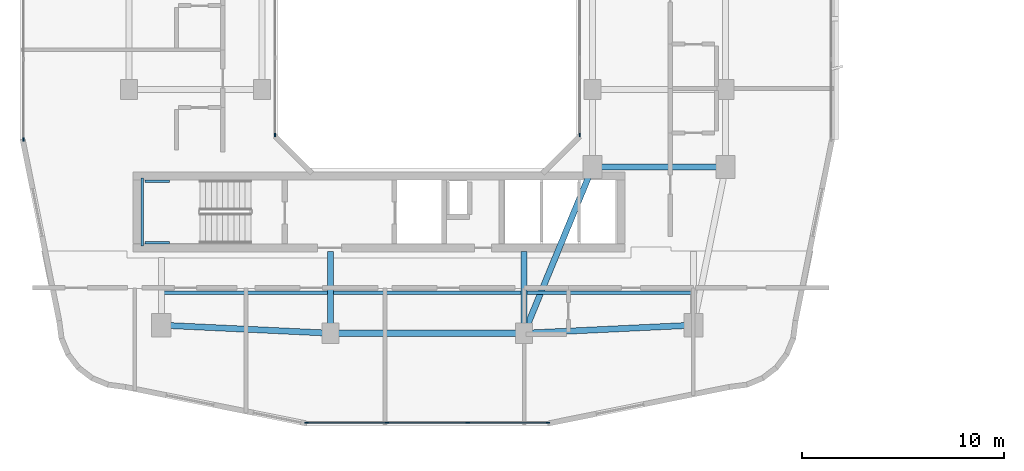
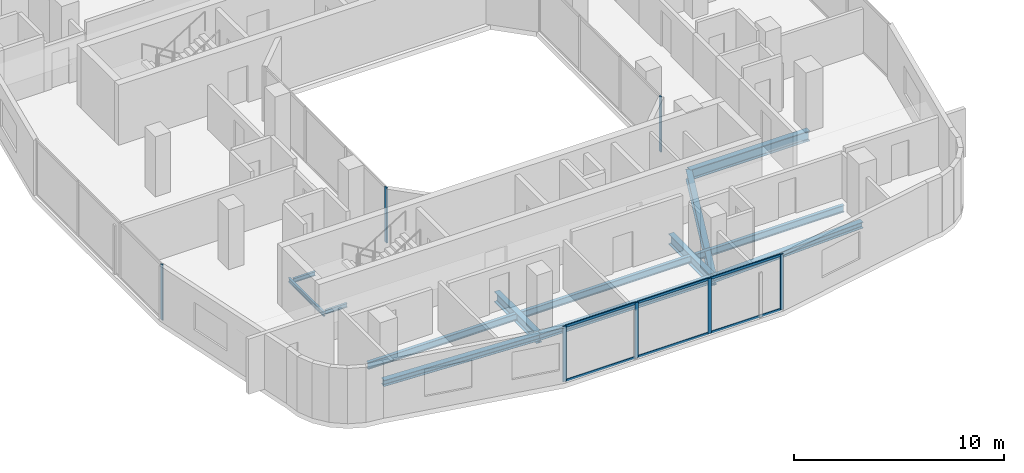
# One storey, part 2 of 26: 13 beams, 13 members, 4 elements without a shape of their own.
"""IFC4 building model written with IfcOpenShell, lengths in metres."""

from ifc_helpers import new_model, si_unit, derived_unit, direction, frame, origin, origin_2d, place, context, subcontext, project, spatial, rectangle, i_section, extrude, material, layer, layer_set, material_profile, profile_set, type_object, element, aggregate, save


model = new_model("IFC4")

# Units and contexts
model_context = context("Model", 3, precision=1e-05, world=origin(), true_north=direction((0.0, 1.0)))
body_context = subcontext(model_context, "Body", "Model", "MODEL_VIEW")
ifc_project = project(units=[si_unit("LENGTHUNIT", "METRE"), si_unit("AREAUNIT", "SQUARE_METRE"), si_unit("VOLUMEUNIT", "CUBIC_METRE"), si_unit("PLANEANGLEUNIT", "RADIAN"), si_unit("MASSUNIT", "GRAM", prefix="KILO"), derived_unit("THERMALTRANSMITTANCEUNIT", [(si_unit("POWERUNIT", "WATT"), 1), (si_unit("LENGTHUNIT", "METRE"), -2), (si_unit("THERMODYNAMICTEMPERATUREUNIT", "KELVIN"), -1)])], contexts=[model_context])

# Site, building, storey
site_placement = place(None, origin())
site = spatial("IfcSite", under=ifc_project, at=site_placement, CompositionType="ELEMENT")
building_placement = place(site_placement, origin())
building = spatial("IfcBuilding", under=site, at=building_placement, Name="Kivonza Crest Hotel", CompositionType="ELEMENT")
storey_placement = place(building_placement, frame((0.0, 0.0, 109.0)))
storey = spatial("IfcBuildingStorey", under=building, at=storey_placement, Name="L29", CompositionType="ELEMENT", Elevation=109.0)

# Beams
ifc_material_1 = material(Name="Steel S355", Category="steel")
ifc_material_profile_1 = material_profile(ifc_material_1, i_section(OverallWidth=0.300048828125, OverallDepth=0.360107421875, WebThickness=0.012451171875, FlangeThickness=0.0224609375, FilletRadius=0.027099609375, at=origin_2d()), Name="HEB 360")
ifc_profile_set_1 = profile_set([ifc_material_profile_1], Name="Steel S355")
beam_type_1 = type_object("IfcBeamType", Name="BM-HEB360", PredefinedType="SPANDREL", material=ifc_profile_set_1)
beam_1_placement = place(storey_placement, frame((16.199951171875, 9.39990234375, -0.4599609375), z_axis=(1.0, 0.0, 0.0), x_axis=(0.0, 1.0, 0.0)))
element("IfcBeam", 1, at=beam_1_placement, inside=storey, type_object=beam_type_1, Name="Tower T1 L29 perimeter spandrel S1-S2", PredefinedType="SPANDREL", context=body_context, shape_type="SweptSolid", body=[
    extrude(i_section(OverallWidth=0.300048828125, OverallDepth=0.360107421875, WebThickness=0.012451171875, FlangeThickness=0.0224609375, FilletRadius=0.027099609375, at=origin_2d()), origin(), (0.0, 0.0, 1.0), 9.60009765625),
])
for number, where, z_axis, x_axis, name in (
    (2, (25.800048828125, 9.39990234375, -0.4599609375), (0.998867283688, 0.047583080799, 0.0), (-0.047583080799, 0.998867283688, 0.0), "Tower T1 L29 perimeter spandrel S2-SE"),
    (3, (7.800048828125, 9.800048828125, -0.4599609375), (0.998867283688, -0.047583080799, 0.0), (0.047583080799, 0.998867283688, 0.0), "Tower T1 L29 perimeter spandrel SW-S1"),
):
    element("IfcBeam", number, at=place(storey_placement, frame(where, z_axis=z_axis, x_axis=x_axis)), inside=storey, type_object=beam_type_1, Name=name, PredefinedType="SPANDREL", context=body_context, shape_type="SweptSolid", body=[
        extrude(i_section(OverallWidth=0.300048828125, OverallDepth=0.360107421875, WebThickness=0.012451171875, FlangeThickness=0.0224609375, FilletRadius=0.027099609375, at=origin_2d()), origin(), (0.0, 0.0, 1.0), 8.409423828125),
    ])
ifc_material_profile_2 = material_profile(ifc_material_1, i_section(OverallWidth=0.300048828125, OverallDepth=0.60009765625, WebThickness=0.015380859375, FlangeThickness=0.030029296875, FilletRadius=0.027099609375, at=origin_2d()), Name="HEB 600")
ifc_profile_set_2 = profile_set([ifc_material_profile_2], Name="Steel S355")
beam_type_2 = type_object("IfcBeamType", Name="BM-HEB600", PredefinedType="BEAM", material=ifc_profile_set_2)
beam_2_placement = place(storey_placement, frame((25.800048828125, 9.39990234375, -0.580078125), z_axis=(0.381022260404, 0.924565864109, 0.0), x_axis=(-0.924565864109, 0.381022260404, 0.0)))
element("IfcBeam", 4, at=beam_2_placement, inside=storey, type_object=beam_type_2, Name="Tower T1 L29 primary girder S1-TSE", PredefinedType="BEAM", context=body_context, shape_type="SweptSolid", body=[
    extrude(i_section(OverallWidth=0.300048828125, OverallDepth=0.60009765625, WebThickness=0.015380859375, FlangeThickness=0.030029296875, FilletRadius=0.027099609375, at=origin_2d()), origin(), (0.0, 0.0, 1.0), 8.923095703125),
])
beam_3_placement = place(storey_placement, frame((29.199951171875, 17.64990234375, -0.580078125), z_axis=(1.0, 0.0, 0.0), x_axis=(0.0, 1.0, 0.0)))
element("IfcBeam", 5, at=beam_3_placement, inside=storey, type_object=beam_type_2, Name="Tower T1 L29 primary girder TSE-PSE", PredefinedType="BEAM", context=body_context, shape_type="SweptSolid", body=[
    extrude(i_section(OverallWidth=0.300048828125, OverallDepth=0.60009765625, WebThickness=0.015380859375, FlangeThickness=0.030029296875, FilletRadius=0.027099609375, at=origin_2d()), origin(), (0.0, 0.0, 1.0), 6.60009765625),
])
for number, where, z_axis, x_axis, name in (
    (6, (16.199951171875, 9.39990234375, -0.580078125), (0.0, 1.0, 0.0), (-1.0, 0.0, 0.0), "Tower T1 L29 radial core girder RS1"),
    (7, (25.800048828125, 9.39990234375, -0.580078125), (0.0, 1.0, 0.0), (-1.0, 0.0, 0.0), "Tower T1 L29 radial core girder RS2"),
):
    element("IfcBeam", number, at=place(storey_placement, frame(where, z_axis=z_axis, x_axis=x_axis)), inside=storey, type_object=beam_type_2, Name=name, PredefinedType="BEAM", context=body_context, shape_type="SweptSolid", body=[
        extrude(i_section(OverallWidth=0.300048828125, OverallDepth=0.60009765625, WebThickness=0.015380859375, FlangeThickness=0.030029296875, FilletRadius=0.027099609375, at=origin_2d()), origin(), (0.0, 0.0, 1.0), 4.050048828125),
    ])
ifc_material_profile_3 = material_profile(ifc_material_1, i_section(OverallWidth=0.179931640625, OverallDepth=0.39990234375, WebThickness=0.008544921875, FlangeThickness=0.013427734375, FilletRadius=0.02099609375, at=origin_2d()), Name="IPE 400")
ifc_profile_set_3 = profile_set([ifc_material_profile_3], Name="Steel S355")
beam_type_3 = type_object("IfcBeamType", Name="BM-IPE400", PredefinedType="JOIST", material=ifc_profile_set_3)
beam_4_placement = place(storey_placement, frame((7.8798828125, 11.39990234375, -0.47998046875), z_axis=(1.0, 0.0, 0.0), x_axis=(0.0, 1.0, 0.0)))
element("IfcBeam", 8, at=beam_4_placement, inside=storey, type_object=beam_type_3, Name="Tower T1 L29 South-West floor joist", PredefinedType="JOIST", context=body_context, shape_type="SweptSolid", body=[
    extrude(i_section(OverallWidth=0.179931640625, OverallDepth=0.39990234375, WebThickness=0.008544921875, FlangeThickness=0.013427734375, FilletRadius=0.02099609375, at=origin_2d()), origin(), (0.0, 0.0, 1.0), 8.240234375),
])
beam_5_placement = place(storey_placement, frame((16.280029296875, 11.39990234375, -0.47998046875), z_axis=(1.0, 0.0, 0.0), x_axis=(0.0, 1.0, 0.0)))
element("IfcBeam", 9, at=beam_5_placement, inside=storey, type_object=beam_type_3, Name="Tower T1 L29 South-Mid floor joist", PredefinedType="JOIST", context=body_context, shape_type="SweptSolid", body=[
    extrude(i_section(OverallWidth=0.179931640625, OverallDepth=0.39990234375, WebThickness=0.008544921875, FlangeThickness=0.013427734375, FilletRadius=0.02099609375, at=origin_2d()), origin(), (0.0, 0.0, 1.0), 9.43994140625),
])
beam_6_placement = place(storey_placement, frame((25.8798828125, 11.39990234375, -0.47998046875), z_axis=(1.0, 0.0, 0.0), x_axis=(0.0, 1.0, 0.0)))
element("IfcBeam", 10, at=beam_6_placement, inside=storey, type_object=beam_type_3, Name="Tower T1 L29 South-East floor joist", PredefinedType="JOIST", context=body_context, shape_type="SweptSolid", body=[
    extrude(i_section(OverallWidth=0.179931640625, OverallDepth=0.39990234375, WebThickness=0.008544921875, FlangeThickness=0.013427734375, FilletRadius=0.02099609375, at=origin_2d()), origin(), (0.0, 0.0, 1.0), 8.240234375),
])
ifc_material_profile_4 = material_profile(ifc_material_1, i_section(OverallWidth=0.1201171875, OverallDepth=0.239990234375, WebThickness=0.006103515625, FlangeThickness=0.009765625, FilletRadius=0.014892578125, at=origin_2d()), Name="IPE 240")
ifc_profile_set_4 = profile_set([ifc_material_profile_4], Name="Steel S355")
beam_type_4 = type_object("IfcBeamType", Name="BM-LLDG-240", PredefinedType="BEAM", material=ifc_profile_set_4)
beam_7_placement = place(storey_placement, frame((6.860107421875, 13.739990234375, 1.429931640625), z_axis=(0.0, 1.0, 0.0), x_axis=(-1.0, 0.0, 0.0)))
element("IfcBeam", 11, at=beam_7_placement, inside=storey, type_object=beam_type_4, Name="Stair ST-T1-S L29 West landing corbel", PredefinedType="BEAM", context=body_context, shape_type="SweptSolid", body=[
    extrude(i_section(OverallWidth=0.1201171875, OverallDepth=0.239990234375, WebThickness=0.006103515625, FlangeThickness=0.009765625, FilletRadius=0.014892578125, at=origin_2d()), origin(), (0.0, 0.0, 1.0), 3.360107421875),
])
for number, where, z_axis, x_axis, name in (
    (12, (6.989990234375, 13.89990234375, 1.429931640625), (1.0, 0.0, 0.0), (0.0, 1.0, 0.0), "Stair ST-T1-S L29 South landing corbel"),
    (13, (6.989990234375, 16.93994140625, 1.429931640625), (1.0, 0.0, 0.0), (0.0, 1.0, 0.0), "Stair ST-T1-S L29 North landing corbel"),
):
    element("IfcBeam", number, at=place(storey_placement, frame(where, z_axis=z_axis, x_axis=x_axis)), inside=storey, type_object=beam_type_4, Name=name, PredefinedType="BEAM", context=body_context, shape_type="SweptSolid", body=[
        extrude(i_section(OverallWidth=0.1201171875, OverallDepth=0.239990234375, WebThickness=0.006103515625, FlangeThickness=0.009765625, FilletRadius=0.014892578125, at=origin_2d()), origin(), (0.0, 0.0, 1.0), 1.2099609375),
    ])

# Curtain wall, members
ifc_material_2 = material(Name="Anodised bronze aluminium and low-E double glazing", Category="aluminium")
ifc_layer_1 = layer(ifc_material_2, 0.179931640625)
ifc_layer_set_1 = layer_set([ifc_layer_1], Name="Anodised bronze aluminium and low-E double glazing")
curtain_wall_type_1 = type_object("IfcCurtainWallType", Name="CW-SYS-2", PredefinedType="NOTDEFINED", material=ifc_layer_set_1)
curtain_wall_1_placement = place(storey_placement, origin())
curtain_wall_1 = element("IfcCurtainWall", 14, at=curtain_wall_1_placement, inside=storey, type_object=curtain_wall_type_1, Name="L29 unitised curtain wall CW-T1-L29-08", PredefinedType="NOTDEFINED")
ifc_material_3 = material(Name="Anodised bronze aluminium", Category="aluminium")
ifc_material_profile_5 = material_profile(ifc_material_3, rectangle(XDim=0.06494140625, YDim=0.179931640625, at=origin_2d()), Name="CW-M 65x180")
ifc_profile_set_5 = profile_set([ifc_material_profile_5], Name="Anodised bronze aluminium")
member_type_1 = type_object("IfcMemberType", Name="CW-MUL-65x180", PredefinedType="MULLION", material=ifc_profile_set_5)
member_1_placement = place(storey_placement, frame((15.012451171875, 4.9599609375, 0.0), z_axis=(0.0, 0.0, 1.0), x_axis=(0.0, 1.0, 0.0)))
member_1 = element("IfcMember", 15, at=member_1_placement, type_object=member_type_1, Name="CW-2 mullion 1", PredefinedType="MULLION", context=body_context, shape_type="SweptSolid", body=[
    extrude(rectangle(XDim=0.06494140625, YDim=0.179931640625, at=origin_2d()), origin(), (0.0, 0.0, 1.0), 3.219970703125),
])
member_2_placement = place(storey_placement, frame((18.993408203125, 4.9599609375, 0.0), z_axis=(0.0, 0.0, 1.0), x_axis=(0.0, 1.0, 0.0)))
member_2 = element("IfcMember", 16, at=member_2_placement, type_object=member_type_1, Name="CW-2 mullion 2", PredefinedType="MULLION", context=body_context, shape_type="SweptSolid", body=[
    extrude(rectangle(XDim=0.06494140625, YDim=0.179931640625, at=origin_2d()), origin(), (0.0, 0.0, 1.0), 3.219970703125),
])
member_3_placement = place(storey_placement, frame((23.006591796875, 4.9599609375, 0.0), z_axis=(0.0, 0.0, 1.0), x_axis=(0.0, 1.0, 0.0)))
member_3 = element("IfcMember", 17, at=member_3_placement, type_object=member_type_1, Name="CW-2 mullion 3", PredefinedType="MULLION", context=body_context, shape_type="SweptSolid", body=[
    extrude(rectangle(XDim=0.06494140625, YDim=0.179931640625, at=origin_2d()), origin(), (0.0, 0.0, 1.0), 3.219970703125),
])
member_4_placement = place(storey_placement, frame((26.987548828125, 4.9599609375, 0.0), z_axis=(0.0, 0.0, 1.0), x_axis=(0.0, 1.0, 0.0)))
member_4 = element("IfcMember", 18, at=member_4_placement, type_object=member_type_1, Name="CW-2 mullion 4", PredefinedType="MULLION", context=body_context, shape_type="SweptSolid", body=[
    extrude(rectangle(XDim=0.06494140625, YDim=0.179931640625, at=origin_2d()), origin(), (0.0, 0.0, 1.0), 3.219970703125),
])

# Curtain wall, member
curtain_wall_2_placement = place(storey_placement, origin())
curtain_wall_2 = element("IfcCurtainWall", 19, at=curtain_wall_2_placement, inside=storey, type_object=curtain_wall_type_1, Name="L29 unitised curtain wall CW-T1-L29-35", PredefinedType="NOTDEFINED")
member_5_placement = place(storey_placement, frame((0.9599609375, 19.012451171875, 0.0), z_axis=(0.0, 0.0, 1.0), x_axis=(1.0, 0.0, 0.0)))
member_5 = element("IfcMember", 20, at=member_5_placement, type_object=member_type_1, Name="CW-2 mullion 4", PredefinedType="MULLION", context=body_context, shape_type="SweptSolid", body=[
    extrude(rectangle(XDim=0.06494140625, YDim=0.179931640625, at=origin_2d()), origin(), (0.0, 0.0, 1.0), 3.219970703125),
])
aggregate(curtain_wall_2, [member_5])

ifc_layer_2 = layer(ifc_material_2, 0.159912109375)
ifc_layer_set_2 = layer_set([ifc_layer_2], Name="Anodised bronze aluminium and low-E double glazing")
curtain_wall_type_2 = type_object("IfcCurtainWallType", Name="CW-SYS-5", PredefinedType="NOTDEFINED", material=ifc_layer_set_2)
curtain_wall_3_placement = place(storey_placement, origin())
curtain_wall_3 = element("IfcCurtainWall", 21, at=curtain_wall_3_placement, inside=storey, type_object=curtain_wall_type_2, Name="L29 unitised curtain wall CW-WELL-T1-L29-3", PredefinedType="NOTDEFINED")
member_6_placement = place(storey_placement, frame((28.56005859375, 19.232421875, 0.0), z_axis=(0.0, 0.0, 1.0), x_axis=(-1.0, 0.0, 0.0)))
member_6 = element("IfcMember", 22, at=member_6_placement, type_object=member_type_1, Name="CW-5 mullion 1", PredefinedType="MULLION", context=body_context, shape_type="SweptSolid", body=[
    extrude(rectangle(XDim=0.06494140625, YDim=0.179931640625, at=origin_2d()), origin(), (0.0, 0.0, 1.0), 3.219970703125),
])
aggregate(curtain_wall_3, [member_6])

curtain_wall_4_placement = place(storey_placement, origin())
curtain_wall_4 = element("IfcCurtainWall", 23, at=curtain_wall_4_placement, inside=storey, type_object=curtain_wall_type_2, Name="L29 unitised curtain wall CW-WELL-T1-L29-7", PredefinedType="NOTDEFINED")
member_7_placement = place(storey_placement, frame((13.43994140625, 19.232421875, 0.0), z_axis=(0.0, 0.0, 1.0), x_axis=(1.0, 0.0, 0.0)))
member_7 = element("IfcMember", 24, at=member_7_placement, type_object=member_type_1, Name="CW-5 mullion 4", PredefinedType="MULLION", context=body_context, shape_type="SweptSolid", body=[
    extrude(rectangle(XDim=0.06494140625, YDim=0.179931640625, at=origin_2d()), origin(), (0.0, 0.0, 1.0), 3.219970703125),
])
aggregate(curtain_wall_4, [member_7])

# Member
ifc_material_profile_6 = material_profile(ifc_material_3, rectangle(XDim=0.06494140625, YDim=0.139892578125, at=origin_2d()), Name="CW-T 65x140")
ifc_profile_set_6 = profile_set([ifc_material_profile_6], Name="Anodised bronze aluminium")
member_type_2 = type_object("IfcMemberType", Name="CW-TRN-65x140", PredefinedType="USERDEFINED", material=ifc_profile_set_6)
member_8_placement = place(storey_placement, frame((15.044921875, 4.9599609375, 0.032470703125), z_axis=(1.0, 0.0, 0.0), x_axis=(0.0, 1.0, 0.0)))
member_8 = element("IfcMember", 25, at=member_8_placement, type_object=member_type_2, Name="CW-2 transom 1.1", ObjectType="TRANSOM", PredefinedType="USERDEFINED", context=body_context, shape_type="SweptSolid", body=[
    extrude(rectangle(XDim=0.06494140625, YDim=0.139892578125, at=origin_2d()), origin(), (0.0, 0.0, 1.0), 3.916015625),
])

member_9_placement = place(storey_placement, frame((15.044921875, 4.9599609375, 3.1875), z_axis=(1.0, 0.0, 0.0), x_axis=(0.0, 1.0, 0.0)))
member_9 = element("IfcMember", 26, at=member_9_placement, type_object=member_type_2, Name="CW-2 transom 1.2", ObjectType="TRANSOM", PredefinedType="USERDEFINED", context=body_context, shape_type="SweptSolid", body=[
    extrude(rectangle(XDim=0.06494140625, YDim=0.139892578125, at=origin_2d()), origin(), (0.0, 0.0, 1.0), 3.916015625),
])

member_10_placement = place(storey_placement, frame((19.02587890625, 4.9599609375, 0.032470703125), z_axis=(1.0, 0.0, 0.0), x_axis=(0.0, 1.0, 0.0)))
member_10 = element("IfcMember", 27, at=member_10_placement, type_object=member_type_2, Name="CW-2 transom 2.1", ObjectType="TRANSOM", PredefinedType="USERDEFINED", context=body_context, shape_type="SweptSolid", body=[
    extrude(rectangle(XDim=0.06494140625, YDim=0.139892578125, at=origin_2d()), origin(), (0.0, 0.0, 1.0), 3.9482421875),
])

member_11_placement = place(storey_placement, frame((19.02587890625, 4.9599609375, 3.1875), z_axis=(1.0, 0.0, 0.0), x_axis=(0.0, 1.0, 0.0)))
member_11 = element("IfcMember", 28, at=member_11_placement, type_object=member_type_2, Name="CW-2 transom 2.2", ObjectType="TRANSOM", PredefinedType="USERDEFINED", context=body_context, shape_type="SweptSolid", body=[
    extrude(rectangle(XDim=0.06494140625, YDim=0.139892578125, at=origin_2d()), origin(), (0.0, 0.0, 1.0), 3.9482421875),
])

member_12_placement = place(storey_placement, frame((23.0390625, 4.9599609375, 0.032470703125), z_axis=(1.0, 0.0, 0.0), x_axis=(0.0, 1.0, 0.0)))
member_12 = element("IfcMember", 29, at=member_12_placement, type_object=member_type_2, Name="CW-2 transom 3.1", ObjectType="TRANSOM", PredefinedType="USERDEFINED", context=body_context, shape_type="SweptSolid", body=[
    extrude(rectangle(XDim=0.06494140625, YDim=0.139892578125, at=origin_2d()), origin(), (0.0, 0.0, 1.0), 3.916015625),
])

member_13_placement = place(storey_placement, frame((23.0390625, 4.9599609375, 3.1875), z_axis=(1.0, 0.0, 0.0), x_axis=(0.0, 1.0, 0.0)))
member_13 = element("IfcMember", 30, at=member_13_placement, type_object=member_type_2, Name="CW-2 transom 3.2", ObjectType="TRANSOM", PredefinedType="USERDEFINED", context=body_context, shape_type="SweptSolid", body=[
    extrude(rectangle(XDim=0.06494140625, YDim=0.139892578125, at=origin_2d()), origin(), (0.0, 0.0, 1.0), 3.916015625),
])

aggregate(curtain_wall_1, [member_1, member_2, member_3, member_4, member_8, member_9, member_10, member_11, member_12, member_13])

save(model, "model.ifc")
